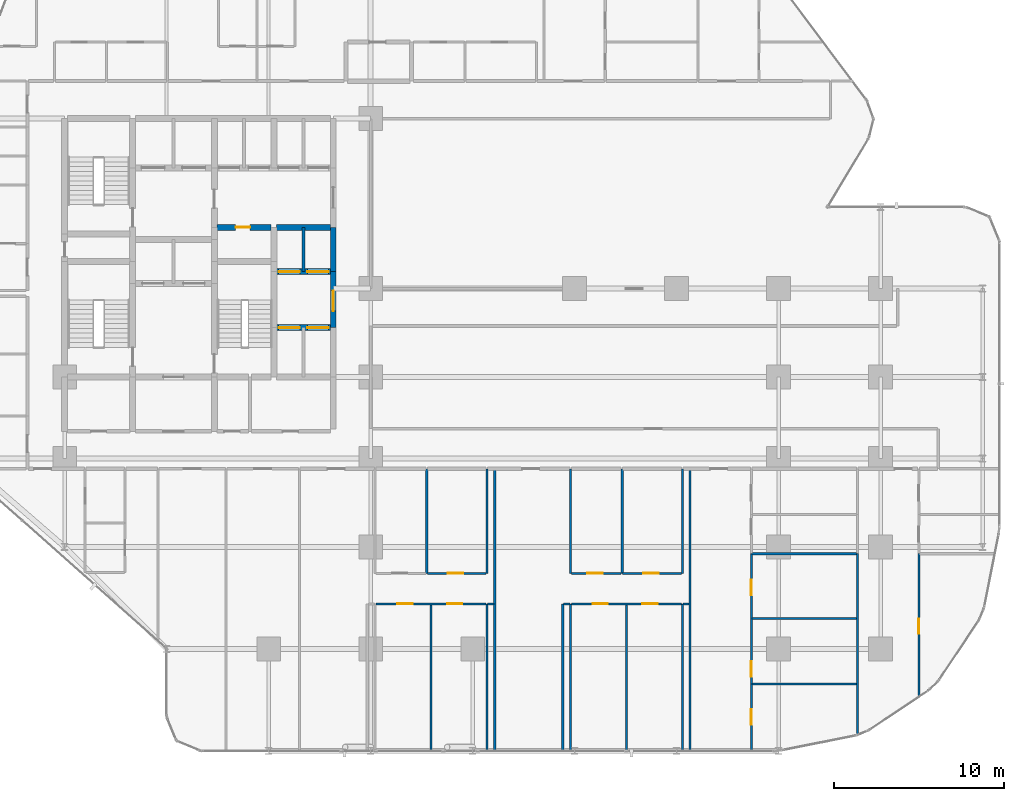
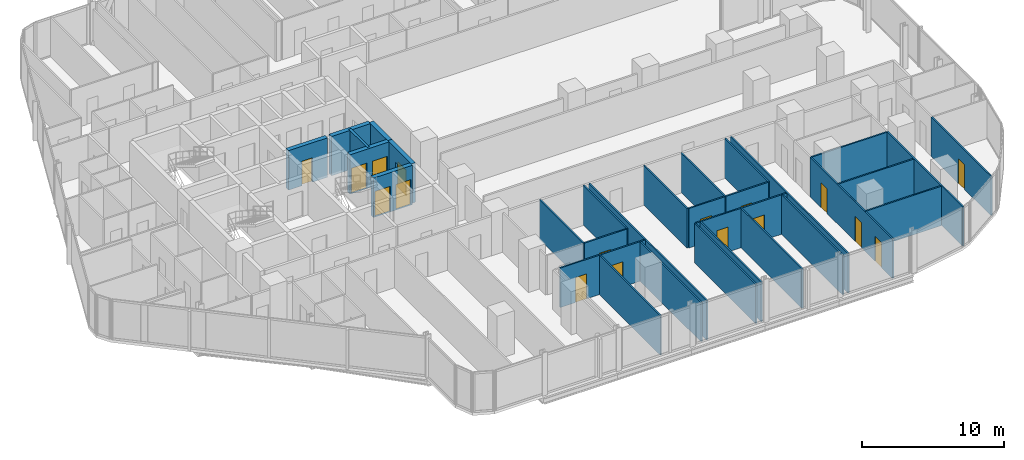
# One storey, part 28 of 34: 34 walls, 17 doors, 17 openings.
"""IFC4 building model written with IfcOpenShell, lengths in metres."""

from ifc_helpers import new_model, si_unit, direction, frame, frame_2d, origin, place, context, subcontext, project, spatial, rectangle, extrude, material, layer, layer_set, type_object, element, fill, save


model = new_model("IFC4")

# Units and contexts
model_context = context("Model", 3, precision=1e-05, world=origin(), true_north=direction((0.0, 1.0)))
body_context = subcontext(model_context, "Body", "Model", "MODEL_VIEW")
ifc_project = project(units=[si_unit("LENGTHUNIT", "METRE"), si_unit("AREAUNIT", "SQUARE_METRE"), si_unit("VOLUMEUNIT", "CUBIC_METRE"), si_unit("PLANEANGLEUNIT", "RADIAN"), si_unit("MASSUNIT", "GRAM", prefix="KILO")], contexts=[model_context])

# Site, building, storey
site_placement = place(None, origin())
site = spatial("IfcSite", under=ifc_project, at=site_placement, CompositionType="ELEMENT")
building_placement = place(site_placement, origin())
building = spatial("IfcBuilding", under=site, at=building_placement, Name="Keshet Zoharim Tower", CompositionType="ELEMENT")
storey_placement = place(building_placement, frame((0.0, 0.0, 46.199951171875)))
storey = spatial("IfcBuildingStorey", under=building, at=storey_placement, Name="L10", CompositionType="ELEMENT", Elevation=46.199951171875)

# Wall, opening, door
ifc_material_1 = material(Name="Concrete C60/75", Category="concrete")
ifc_layer_1 = layer(ifc_material_1, 0.35009765625)
ifc_layer_set_1 = layer_set([ifc_layer_1], Name="Concrete C60/75")
wall_type_1 = type_object("IfcWallType", Name="WL-CORE-350", PredefinedType="SHEAR", material=ifc_layer_set_1)
wall_1_placement = place(storey_placement, frame((30.800048828125, 25.60009765625, 0.0), z_axis=(0.0, 0.0, 1.0), x_axis=(0.0, 1.0, 0.0)))
wall_1 = element("IfcWall", 1, at=wall_1_placement, inside=storey, type_object=wall_type_1, Name="L10 Core Shear Wall 065", PredefinedType="SHEAR", context=body_context, shape_type="SweptSolid", body=[
    extrude(rectangle(XDim=3.2998046875, YDim=0.35009765625, at=frame_2d((1.64990234375, 0.0))), origin(), (0.0, 0.0, 1.0), 3.385009765625),
])
opening_1_placement = place(wall_1_placement, frame((0.97802734375, 0.0, 0.0)))
opening_1 = element("IfcOpeningElement", 2, at=opening_1_placement, cuts=wall_1, Name="Opening D-F612", PredefinedType="OPENING", context=body_context, shape_type="SweptSolid", body=[
    extrude(rectangle(XDim=1.199951171875, YDim=2.199951171875, at=frame_2d((0.60009765625, 1.10009765625))), frame((0.0, 0.18505859375, 0.0), z_axis=(0.0, -1.0, 0.0), x_axis=(1.0, 0.0, 0.0)), (0.0, 0.0, 1.0), 0.3701171875),
])
ifc_material_2 = material(Name="Hardwood Timber", Category="wood")
door_type_1 = type_object("IfcDoorType", Name="DR-FD60-120", OperationType="NOTDEFINED", PredefinedType="DOOR", material=ifc_material_2)
door_1_placement = place(opening_1_placement, origin())
door_1 = element("IfcDoor", 3, at=door_1_placement, inside=storey, type_object=door_type_1, Name="L10 East Lift Lobby Fire Door", OperationType="SINGLE_SWING_RIGHT", OverallHeight=2.199951171875, OverallWidth=1.199951171875, PredefinedType="DOOR", context=body_context, shape_type="SweptSolid", body=[
    extrude(rectangle(XDim=1.199951171875, YDim=2.199951171875, at=frame_2d((0.60009765625, 1.10009765625))), frame((0.0, 0.02490234375, 0.0), z_axis=(0.0, -1.0, 0.0), x_axis=(1.0, 0.0, 0.0)), (0.0, 0.0, 1.0), 0.050048828125),
])
fill(opening_1, door_1)

# Wall
wall_2_placement = place(storey_placement, frame((30.800048828125, 28.89990234375, 0.0), z_axis=(0.0, 0.0, 1.0), x_axis=(0.0, 1.0, 0.0)))
element("IfcWall", 4, at=wall_2_placement, inside=storey, type_object=wall_type_1, Name="L10 Core Shear Wall 066", PredefinedType="SHEAR", context=body_context, shape_type="SweptSolid", body=[
    extrude(rectangle(XDim=2.60009765625, YDim=0.35009765625, at=frame_2d((1.300048828125, 0.0))), origin(), (0.0, 0.0, 1.0), 3.385009765625),
])

# Wall, openings, doors
wall_3_placement = place(storey_placement, frame((27.4599609375, 25.60009765625, 0.0), z_axis=(0.0, 0.0, 1.0), x_axis=(1.0, 0.0, 0.0)))
wall_3 = element("IfcWall", 5, at=wall_3_placement, inside=storey, type_object=wall_type_1, Name="L10 Core Shear Wall 168", PredefinedType="SHEAR", context=body_context, shape_type="SweptSolid", body=[
    extrude(rectangle(XDim=3.179931640625, YDim=0.35009765625, at=frame_2d((1.58984375, 0.0))), origin(), (0.0, 0.0, 1.0), 3.385009765625),
])
opening_2_placement = place(wall_3_placement, frame((0.1201171875, 0.0, 0.0)))
opening_2 = element("IfcOpeningElement", 6, at=opening_2_placement, cuts=wall_3, Name="Opening LD-01", PredefinedType="OPENING", context=body_context, shape_type="SweptSolid", body=[
    extrude(rectangle(XDim=1.25, YDim=2.199951171875, at=frame_2d((0.625, 1.10009765625))), frame((0.0, 0.18505859375, 0.0), z_axis=(0.0, -1.0, 0.0), x_axis=(1.0, 0.0, 0.0)), (0.0, 0.0, 1.0), 0.3701171875),
])
opening_3_placement = place(wall_3_placement, frame((1.81005859375, 0.0, 0.0)))
opening_3 = element("IfcOpeningElement", 7, at=opening_3_placement, cuts=wall_3, Name="Opening LD-01", PredefinedType="OPENING", context=body_context, shape_type="SweptSolid", body=[
    extrude(rectangle(XDim=1.25, YDim=2.199951171875, at=frame_2d((0.625, 1.10009765625))), frame((0.0, 0.18505859375, 0.0), z_axis=(0.0, -1.0, 0.0), x_axis=(1.0, 0.0, 0.0)), (0.0, 0.0, 1.0), 0.3701171875),
])
ifc_material_3 = material(Name="Steel S355", Category="steel")
door_type_2 = type_object("IfcDoorType", Name="DR-LD01-125", OperationType="DOUBLE_DOOR_SLIDING", PredefinedType="DOOR", material=ifc_material_3)
door_2_placement = place(opening_2_placement, origin())
door_2 = element("IfcDoor", 8, at=door_2_placement, inside=storey, type_object=door_type_2, Name="L10 Passenger Lift Landing Door LF-07", OperationType="DOUBLE_DOOR_SLIDING", OverallHeight=2.199951171875, OverallWidth=1.25, PredefinedType="DOOR", context=body_context, shape_type="SweptSolid", body=[
    extrude(rectangle(XDim=1.25, YDim=2.199951171875, at=frame_2d((0.625, 1.10009765625))), frame((0.0, 0.02490234375, 0.0), z_axis=(0.0, -1.0, 0.0), x_axis=(1.0, 0.0, 0.0)), (0.0, 0.0, 1.0), 0.050048828125),
])
fill(opening_2, door_2)
door_3_placement = place(opening_3_placement, origin())
door_3 = element("IfcDoor", 9, at=door_3_placement, inside=storey, type_object=door_type_2, Name="L10 Passenger Lift Landing Door LF-08", OperationType="DOUBLE_DOOR_SLIDING", OverallHeight=2.199951171875, OverallWidth=1.25, PredefinedType="DOOR", context=body_context, shape_type="SweptSolid", body=[
    extrude(rectangle(XDim=1.25, YDim=2.199951171875, at=frame_2d((0.625, 1.10009765625))), frame((0.0, 0.02490234375, 0.0), z_axis=(0.0, -1.0, 0.0), x_axis=(1.0, 0.0, 0.0)), (0.0, 0.0, 1.0), 0.050048828125),
])
fill(opening_3, door_3)

wall_4_placement = place(storey_placement, frame((27.4599609375, 28.89990234375, 0.0), z_axis=(0.0, 0.0, 1.0), x_axis=(1.0, 0.0, 0.0)))
wall_4 = element("IfcWall", 10, at=wall_4_placement, inside=storey, type_object=wall_type_1, Name="L10 Core Shear Wall 176", PredefinedType="SHEAR", context=body_context, shape_type="SweptSolid", body=[
    extrude(rectangle(XDim=3.179931640625, YDim=0.35009765625, at=frame_2d((1.58984375, 0.0))), origin(), (0.0, 0.0, 1.0), 3.385009765625),
])
opening_4_placement = place(wall_4_placement, frame((0.1201171875, 0.0, 0.0)))
opening_4 = element("IfcOpeningElement", 11, at=opening_4_placement, cuts=wall_4, Name="Opening LD-01", PredefinedType="OPENING", context=body_context, shape_type="SweptSolid", body=[
    extrude(rectangle(XDim=1.25, YDim=2.199951171875, at=frame_2d((0.625, 1.10009765625))), frame((0.0, 0.18505859375, 0.0), z_axis=(0.0, -1.0, 0.0), x_axis=(1.0, 0.0, 0.0)), (0.0, 0.0, 1.0), 0.3701171875),
])
opening_5_placement = place(wall_4_placement, frame((1.81005859375, 0.0, 0.0)))
opening_5 = element("IfcOpeningElement", 12, at=opening_5_placement, cuts=wall_4, Name="Opening LD-01", PredefinedType="OPENING", context=body_context, shape_type="SweptSolid", body=[
    extrude(rectangle(XDim=1.25, YDim=2.199951171875, at=frame_2d((0.625, 1.10009765625))), frame((0.0, 0.18505859375, 0.0), z_axis=(0.0, -1.0, 0.0), x_axis=(1.0, 0.0, 0.0)), (0.0, 0.0, 1.0), 0.3701171875),
])
door_4_placement = place(opening_4_placement, origin())
door_4 = element("IfcDoor", 13, at=door_4_placement, inside=storey, type_object=door_type_2, Name="L10 Passenger Lift Landing Door LF-05", OperationType="DOUBLE_DOOR_SLIDING", OverallHeight=2.199951171875, OverallWidth=1.25, PredefinedType="DOOR", context=body_context, shape_type="SweptSolid", body=[
    extrude(rectangle(XDim=1.25, YDim=2.199951171875, at=frame_2d((0.625, 1.10009765625))), frame((0.0, 0.02490234375, 0.0), z_axis=(0.0, -1.0, 0.0), x_axis=(1.0, 0.0, 0.0)), (0.0, 0.0, 1.0), 0.050048828125),
])
fill(opening_4, door_4)
door_5_placement = place(opening_5_placement, origin())
door_5 = element("IfcDoor", 14, at=door_5_placement, inside=storey, type_object=door_type_2, Name="L10 Passenger Lift Landing Door LF-06", OperationType="DOUBLE_DOOR_SLIDING", OverallHeight=2.199951171875, OverallWidth=1.25, PredefinedType="DOOR", context=body_context, shape_type="SweptSolid", body=[
    extrude(rectangle(XDim=1.25, YDim=2.199951171875, at=frame_2d((0.625, 1.10009765625))), frame((0.0, 0.02490234375, 0.0), z_axis=(0.0, -1.0, 0.0), x_axis=(1.0, 0.0, 0.0)), (0.0, 0.0, 1.0), 0.050048828125),
])
fill(opening_5, door_5)

# Wall, opening, door
wall_5_placement = place(storey_placement, frame((23.9599609375, 31.5, 0.0), z_axis=(0.0, 0.0, 1.0), x_axis=(1.0, 0.0, 0.0)))
wall_5 = element("IfcWall", 15, at=wall_5_placement, inside=storey, type_object=wall_type_1, Name="L10 Core Shear Wall 183", PredefinedType="SHEAR", context=body_context, shape_type="SweptSolid", body=[
    extrude(rectangle(XDim=3.179931640625, YDim=0.35009765625, at=frame_2d((1.58984375, 0.0))), origin(), (0.0, 0.0, 1.0), 3.385009765625),
])
opening_6_placement = place(wall_5_placement, frame((1.093994140625, 0.0, 0.0)))
opening_6 = element("IfcOpeningElement", 16, at=opening_6_placement, cuts=wall_5, Name="Opening D-RS85", PredefinedType="OPENING", context=body_context, shape_type="SweptSolid", body=[
    extrude(rectangle(XDim=0.85009765625, YDim=2.10009765625, at=frame_2d((0.425048828125, 1.050048828125))), frame((0.0, 0.18505859375, 0.0), z_axis=(0.0, -1.0, 0.0), x_axis=(1.0, 0.0, 0.0)), (0.0, 0.0, 1.0), 0.3701171875),
])
door_type_3 = type_object("IfcDoorType", Name="DR-RIS-085", OperationType="NOTDEFINED", PredefinedType="DOOR", material=ifc_material_2)
door_6_placement = place(opening_6_placement, origin())
door_6 = element("IfcDoor", 17, at=door_6_placement, inside=storey, type_object=door_type_3, Name="L10 Telecom Riser Access Cupboard Door", OperationType="SINGLE_SWING_RIGHT", OverallHeight=2.10009765625, OverallWidth=0.85009765625, PredefinedType="DOOR", context=body_context, shape_type="SweptSolid", body=[
    extrude(rectangle(XDim=0.85009765625, YDim=2.10009765625, at=frame_2d((0.425048828125, 1.050048828125))), frame((0.0, 0.02490234375, 0.0), z_axis=(0.0, -1.0, 0.0), x_axis=(1.0, 0.0, 0.0)), (0.0, 0.0, 1.0), 0.050048828125),
])
fill(opening_6, door_6)

# Walls
wall_6_placement = place(storey_placement, frame((27.4599609375, 31.5, 0.0), z_axis=(0.0, 0.0, 1.0), x_axis=(1.0, 0.0, 0.0)))
element("IfcWall", 18, at=wall_6_placement, inside=storey, type_object=wall_type_1, Name="L10 Core Shear Wall 184", PredefinedType="SHEAR", context=body_context, shape_type="SweptSolid", body=[
    extrude(rectangle(XDim=3.179931640625, YDim=0.35009765625, at=frame_2d((1.58984375, 0.0))), origin(), (0.0, 0.0, 1.0), 3.385009765625),
])
ifc_material_4 = material(Name="Concrete C50/60", Category="concrete")
ifc_layer_2 = layer(ifc_material_4, 0.199951171875)
ifc_layer_set_2 = layer_set([ifc_layer_2], Name="Concrete C50/60")
wall_type_2 = type_object("IfcWallType", Name="WL-FIRE-200", PredefinedType="STANDARD", material=ifc_layer_set_2)
wall_7_placement = place(storey_placement, frame((29.050048828125, 28.89990234375, 0.0), z_axis=(0.0, 0.0, 1.0), x_axis=(0.0, 1.0, 0.0)))
element("IfcWall", 19, at=wall_7_placement, inside=storey, type_object=wall_type_2, Name="L10 Interior Wall 061", PredefinedType="STANDARD", context=body_context, shape_type="SweptSolid", body=[
    extrude(rectangle(XDim=2.60009765625, YDim=0.199951171875, at=frame_2d((1.300048828125, 0.0))), origin(), (0.0, 0.0, 1.0), 3.385009765625),
])
ifc_material_5 = material(Name="Gypsum Plasterboard", Category="gypsum")
ifc_layer_3 = layer(ifc_material_5, 0.1201171875)
ifc_layer_set_3 = layer_set([ifc_layer_3], Name="Gypsum Plasterboard")
wall_type_3 = type_object("IfcWallType", Name="WL-PART-120", PredefinedType="PARTITIONING", material=ifc_layer_set_3)
for number, where, z_axis, x_axis, name in (
    (20, (36.550048828125, 0.7099609375, 0.0), (0.0, 0.0, 1.0), (0.0, 1.0, 0.0), "L10 Interior Wall 080"),
    (21, (39.85009765625, 0.7099609375, 0.0), (0.0, 0.0, 1.0), (0.0, 1.0, 0.0), "L10 Interior Wall 083"),
):
    element("IfcWall", number, at=place(storey_placement, frame(where, z_axis=z_axis, x_axis=x_axis)), inside=storey, type_object=wall_type_3, Name=name, PredefinedType="PARTITIONING", context=body_context, shape_type="SweptSolid", body=[
        extrude(rectangle(XDim=8.64013671875, YDim=0.1201171875, at=frame_2d((4.320068359375, 0.0))), origin(), (0.0, 0.0, 1.0), 3.385009765625),
    ])
wall_8_placement = place(storey_placement, frame((40.300048828125, 0.7099609375, 0.0), z_axis=(0.0, 0.0, 1.0), x_axis=(0.0, 1.0, 0.0)))
element("IfcWall", 22, at=wall_8_placement, inside=storey, type_object=wall_type_3, Name="L10 Interior Wall 086", PredefinedType="PARTITIONING", context=body_context, shape_type="SweptSolid", body=[
    extrude(rectangle(XDim=16.590087890625, YDim=0.1201171875, at=frame_2d((8.294921875, 0.0))), origin(), (0.0, 0.0, 1.0), 3.385009765625),
])
for number, where, z_axis, x_axis, name in (
    (23, (44.300048828125, 0.7099609375, 0.0), (0.0, 0.0, 1.0), (0.0, 1.0, 0.0), "L10 Interior Wall 090"),
    (24, (44.75, 0.7099609375, 0.0), (0.0, 0.0, 1.0), (0.0, 1.0, 0.0), "L10 Interior Wall 091"),
):
    element("IfcWall", number, at=place(storey_placement, frame(where, z_axis=z_axis, x_axis=x_axis)), inside=storey, type_object=wall_type_3, Name=name, PredefinedType="PARTITIONING", context=body_context, shape_type="SweptSolid", body=[
        extrude(rectangle(XDim=8.64013671875, YDim=0.1201171875, at=frame_2d((4.320068359375, 0.0))), origin(), (0.0, 0.0, 1.0), 3.385009765625),
    ])
wall_9_placement = place(storey_placement, frame((44.75, 11.14990234375, 0.0), z_axis=(0.0, 0.0, 1.0), x_axis=(0.0, 1.0, 0.0)))
element("IfcWall", 25, at=wall_9_placement, inside=storey, type_object=wall_type_3, Name="L10 Interior Wall 092", PredefinedType="PARTITIONING", context=body_context, shape_type="SweptSolid", body=[
    extrude(rectangle(XDim=6.150146484375, YDim=0.1201171875, at=frame_2d((3.0751953125, 0.0))), origin(), (0.0, 0.0, 1.0), 3.385009765625),
])
for number, where, z_axis, x_axis, name in (
    (26, (48.050048828125, 0.7099609375, 0.0), (0.0, 0.0, 1.0), (0.0, 1.0, 0.0), "L10 Interior Wall 097"),
    (27, (51.35009765625, 0.7099609375, 0.0), (0.0, 0.0, 1.0), (0.0, 1.0, 0.0), "L10 Interior Wall 098"),
):
    element("IfcWall", number, at=place(storey_placement, frame(where, z_axis=z_axis, x_axis=x_axis)), inside=storey, type_object=wall_type_3, Name=name, PredefinedType="PARTITIONING", context=body_context, shape_type="SweptSolid", body=[
        extrude(rectangle(XDim=8.64013671875, YDim=0.1201171875, at=frame_2d((4.320068359375, 0.0))), origin(), (0.0, 0.0, 1.0), 3.385009765625),
    ])
wall_10_placement = place(storey_placement, frame((51.800048828125, 0.7099609375, 0.0), z_axis=(0.0, 0.0, 1.0), x_axis=(0.0, 1.0, 0.0)))
element("IfcWall", 28, at=wall_10_placement, inside=storey, type_object=wall_type_3, Name="L10 Interior Wall 100", PredefinedType="PARTITIONING", context=body_context, shape_type="SweptSolid", body=[
    extrude(rectangle(XDim=16.590087890625, YDim=0.1201171875, at=frame_2d((8.294921875, 0.0))), origin(), (0.0, 0.0, 1.0), 3.385009765625),
])

# Wall, openings, doors
wall_11_placement = place(storey_placement, frame((55.39990234375, 0.7099609375, 0.0), z_axis=(0.0, 0.0, 1.0), x_axis=(0.0, 1.0, 0.0)))
wall_11 = element("IfcWall", 29, at=wall_11_placement, inside=storey, type_object=wall_type_3, Name="L10 Interior Wall 104", PredefinedType="PARTITIONING", context=body_context, shape_type="SweptSolid", body=[
    extrude(rectangle(XDim=11.590087890625, YDim=0.1201171875, at=frame_2d((5.794921875, 0.0))), origin(), (0.0, 0.0, 1.0), 3.385009765625),
])
opening_7_placement = place(wall_11_placement, frame((1.534912109375, 0.0, 0.0)))
opening_7 = element("IfcOpeningElement", 30, at=opening_7_placement, cuts=wall_11, Name="Opening D-IN90", PredefinedType="OPENING", context=body_context, shape_type="SweptSolid", body=[
    extrude(rectangle(XDim=0.89990234375, YDim=2.14990234375, at=frame_2d((0.449951171875, 1.074951171875))), frame((0.0, 0.070068359375, 0.0), z_axis=(0.0, -1.0, 0.0), x_axis=(1.0, 0.0, 0.0)), (0.0, 0.0, 1.0), 0.14013671875),
])
opening_8_placement = place(wall_11_placement, frame((4.35107421875, 0.0, 0.0)))
opening_8 = element("IfcOpeningElement", 31, at=opening_8_placement, cuts=wall_11, Name="Opening D-IN90", PredefinedType="OPENING", context=body_context, shape_type="SweptSolid", body=[
    extrude(rectangle(XDim=0.89990234375, YDim=2.14990234375, at=frame_2d((0.449951171875, 1.074951171875))), frame((0.0, 0.070068359375, 0.0), z_axis=(0.0, -1.0, 0.0), x_axis=(1.0, 0.0, 0.0)), (0.0, 0.0, 1.0), 0.14013671875),
])
opening_9_placement = place(wall_11_placement, frame((9.158935546875, 0.0, 0.0)))
opening_9 = element("IfcOpeningElement", 32, at=opening_9_placement, cuts=wall_11, Name="Opening D-IN90", PredefinedType="OPENING", context=body_context, shape_type="SweptSolid", body=[
    extrude(rectangle(XDim=0.89990234375, YDim=2.14990234375, at=frame_2d((0.449951171875, 1.074951171875))), frame((0.0, 0.070068359375, 0.0), z_axis=(0.0, -1.0, 0.0), x_axis=(1.0, 0.0, 0.0)), (0.0, 0.0, 1.0), 0.14013671875),
])
door_type_4 = type_object("IfcDoorType", Name="DR-INT-090", OperationType="NOTDEFINED", PredefinedType="DOOR", material=ifc_material_2)
door_7_placement = place(opening_7_placement, origin())
door_7 = element("IfcDoor", 33, at=door_7_placement, inside=storey, type_object=door_type_4, Name="Apartment 1004 Bedroom 1 Door", OperationType="SINGLE_SWING_RIGHT", OverallHeight=2.14990234375, OverallWidth=0.89990234375, PredefinedType="DOOR", context=body_context, shape_type="SweptSolid", body=[
    extrude(rectangle(XDim=0.89990234375, YDim=2.14990234375, at=frame_2d((0.449951171875, 1.074951171875))), frame((0.0, 0.02490234375, 0.0), z_axis=(0.0, -1.0, 0.0), x_axis=(1.0, 0.0, 0.0)), (0.0, 0.0, 1.0), 0.050048828125),
])
fill(opening_7, door_7)
door_8_placement = place(opening_8_placement, origin())
door_8 = element("IfcDoor", 34, at=door_8_placement, inside=storey, type_object=door_type_4, Name="Apartment 1004 Bedroom 2 Door", OperationType="SINGLE_SWING_LEFT", OverallHeight=2.14990234375, OverallWidth=0.89990234375, PredefinedType="DOOR", context=body_context, shape_type="SweptSolid", body=[
    extrude(rectangle(XDim=0.89990234375, YDim=2.14990234375, at=frame_2d((0.449951171875, 1.074951171875))), frame((0.0, 0.02490234375, 0.0), z_axis=(0.0, -1.0, 0.0), x_axis=(1.0, 0.0, 0.0)), (0.0, 0.0, 1.0), 0.050048828125),
])
fill(opening_8, door_8)
door_9_placement = place(opening_9_placement, origin())
door_9 = element("IfcDoor", 35, at=door_9_placement, inside=storey, type_object=door_type_4, Name="Apartment 1004 Bedroom 3 Door", OperationType="SINGLE_SWING_RIGHT", OverallHeight=2.14990234375, OverallWidth=0.89990234375, PredefinedType="DOOR", context=body_context, shape_type="SweptSolid", body=[
    extrude(rectangle(XDim=0.89990234375, YDim=2.14990234375, at=frame_2d((0.449951171875, 1.074951171875))), frame((0.0, 0.02490234375, 0.0), z_axis=(0.0, -1.0, 0.0), x_axis=(1.0, 0.0, 0.0)), (0.0, 0.0, 1.0), 0.050048828125),
])
fill(opening_9, door_9)

# Wall
wall_12_placement = place(storey_placement, frame((61.64990234375, 1.64892578125, 0.0), z_axis=(0.0, 0.0, 1.0), x_axis=(0.0, 1.0, 0.0)))
element("IfcWall", 36, at=wall_12_placement, inside=storey, type_object=wall_type_3, Name="L10 Interior Wall 110", PredefinedType="PARTITIONING", context=body_context, shape_type="SweptSolid", body=[
    extrude(rectangle(XDim=10.651123046875, YDim=0.1201171875, at=frame_2d((5.32568359375, 0.0))), origin(), (0.0, 0.0, 1.0), 3.385009765625),
])

# Wall, opening, door
wall_13_placement = place(storey_placement, frame((65.25, 3.887939453125, 0.0), z_axis=(0.0, 0.0, 1.0), x_axis=(0.0, 1.0, 0.0)))
wall_13 = element("IfcWall", 37, at=wall_13_placement, inside=storey, type_object=wall_type_3, Name="L10 Interior Wall 114", PredefinedType="PARTITIONING", context=body_context, shape_type="SweptSolid", body=[
    extrude(rectangle(XDim=8.412109375, YDim=0.1201171875, at=frame_2d((4.2060546875, 0.0))), origin(), (0.0, 0.0, 1.0), 3.385009765625),
])
opening_10_placement = place(wall_13_placement, frame((3.694091796875, 0.0, 0.0)))
opening_10 = element("IfcOpeningElement", 38, at=opening_10_placement, cuts=wall_13, Name="Opening D-IN90", PredefinedType="OPENING", context=body_context, shape_type="SweptSolid", body=[
    extrude(rectangle(XDim=0.89990234375, YDim=2.14990234375, at=frame_2d((0.449951171875, 1.074951171875))), frame((0.0, 0.070068359375, 0.0), z_axis=(0.0, -1.0, 0.0), x_axis=(1.0, 0.0, 0.0)), (0.0, 0.0, 1.0), 0.14013671875),
])
door_10_placement = place(opening_10_placement, origin())
door_10 = element("IfcDoor", 39, at=door_10_placement, inside=storey, type_object=door_type_4, Name="Apartment 1005 Bedroom 1 Door", OperationType="SINGLE_SWING_LEFT", OverallHeight=2.14990234375, OverallWidth=0.89990234375, PredefinedType="DOOR", context=body_context, shape_type="SweptSolid", body=[
    extrude(rectangle(XDim=0.89990234375, YDim=2.14990234375, at=frame_2d((0.449951171875, 1.074951171875))), frame((0.0, 0.02490234375, 0.0), z_axis=(0.0, -1.0, 0.0), x_axis=(1.0, 0.0, 0.0)), (0.0, 0.0, 1.0), 0.050048828125),
])
fill(opening_10, door_10)

# Walls
for number, where, z_axis, x_axis, name in (
    (40, (55.425048828125, 4.64990234375, 0.0), (0.0, 0.0, 1.0), (1.0, 0.0, 0.0), "L10 Interior Wall 118"),
    (41, (55.425048828125, 8.5, 0.0), (0.0, 0.0, 1.0), (1.0, 0.0, 0.0), "L10 Interior Wall 119"),
):
    element("IfcWall", number, at=place(storey_placement, frame(where, z_axis=z_axis, x_axis=x_axis)), inside=storey, type_object=wall_type_3, Name=name, PredefinedType="PARTITIONING", context=body_context, shape_type="SweptSolid", body=[
        extrude(rectangle(XDim=6.159912109375, YDim=0.1201171875, at=frame_2d((3.080078125, 0.0))), origin(), (0.0, 0.0, 1.0), 3.385009765625),
    ])

# Wall, openings, doors
wall_14_placement = place(storey_placement, frame((33.31494140625, 9.35009765625, 0.0), z_axis=(0.0, 0.0, 1.0), x_axis=(1.0, 0.0, 0.0)))
wall_14 = element("IfcWall", 42, at=wall_14_placement, inside=storey, type_object=wall_type_3, Name="L10 Interior Wall 121", PredefinedType="PARTITIONING", context=body_context, shape_type="SweptSolid", body=[
    extrude(rectangle(XDim=6.47998046875, YDim=0.1201171875, at=frame_2d((3.239990234375, 0.0))), origin(), (0.0, 0.0, 1.0), 3.385009765625),
])
opening_11_placement = place(wall_14_placement, frame((1.251953125, 0.0, 0.0)))
opening_11 = element("IfcOpeningElement", 43, at=opening_11_placement, cuts=wall_14, Name="Opening D-IN90", PredefinedType="OPENING", context=body_context, shape_type="SweptSolid", body=[
    extrude(rectangle(XDim=0.89990234375, YDim=2.14990234375, at=frame_2d((0.449951171875, 1.074951171875))), frame((0.0, 0.070068359375, 0.0), z_axis=(0.0, -1.0, 0.0), x_axis=(1.0, 0.0, 0.0)), (0.0, 0.0, 1.0), 0.14013671875),
])
opening_12_placement = place(wall_14_placement, frame((4.18701171875, 0.0, 0.0)))
opening_12 = element("IfcOpeningElement", 44, at=opening_12_placement, cuts=wall_14, Name="Opening D-IN90", PredefinedType="OPENING", context=body_context, shape_type="SweptSolid", body=[
    extrude(rectangle(XDim=0.89990234375, YDim=2.14990234375, at=frame_2d((0.449951171875, 1.074951171875))), frame((0.0, 0.070068359375, 0.0), z_axis=(0.0, -1.0, 0.0), x_axis=(1.0, 0.0, 0.0)), (0.0, 0.0, 1.0), 0.14013671875),
])
door_11_placement = place(opening_11_placement, origin())
door_11 = element("IfcDoor", 45, at=door_11_placement, inside=storey, type_object=door_type_4, Name="Apartment 1002 Bedroom 1 Door", OperationType="SINGLE_SWING_RIGHT", OverallHeight=2.14990234375, OverallWidth=0.89990234375, PredefinedType="DOOR", context=body_context, shape_type="SweptSolid", body=[
    extrude(rectangle(XDim=0.89990234375, YDim=2.14990234375, at=frame_2d((0.449951171875, 1.074951171875))), frame((0.0, 0.02490234375, 0.0), z_axis=(0.0, -1.0, 0.0), x_axis=(1.0, 0.0, 0.0)), (0.0, 0.0, 1.0), 0.050048828125),
])
fill(opening_11, door_11)
door_12_placement = place(opening_12_placement, origin())
door_12 = element("IfcDoor", 46, at=door_12_placement, inside=storey, type_object=door_type_4, Name="Apartment 1002 Bedroom 2 Door", OperationType="SINGLE_SWING_LEFT", OverallHeight=2.14990234375, OverallWidth=0.89990234375, PredefinedType="DOOR", context=body_context, shape_type="SweptSolid", body=[
    extrude(rectangle(XDim=0.89990234375, YDim=2.14990234375, at=frame_2d((0.449951171875, 1.074951171875))), frame((0.0, 0.02490234375, 0.0), z_axis=(0.0, -1.0, 0.0), x_axis=(1.0, 0.0, 0.0)), (0.0, 0.0, 1.0), 0.050048828125),
])
fill(opening_12, door_12)

# Walls
for number, where, z_axis, x_axis, name in (
    (47, (39.885009765625, 9.35009765625, 0.0), (0.0, 0.0, 1.0), (1.0, 0.0, 0.0), "L10 Interior Wall 122"),
    (48, (44.35498046875, 9.35009765625, 0.0), (0.0, 0.0, 1.0), (1.0, 0.0, 0.0), "L10 Interior Wall 123"),
):
    element("IfcWall", number, at=place(storey_placement, frame(where, z_axis=z_axis, x_axis=x_axis)), inside=storey, type_object=wall_type_3, Name=name, PredefinedType="PARTITIONING", context=body_context, shape_type="SweptSolid", body=[
        extrude(rectangle(XDim=0.360107421875, YDim=0.1201171875, at=frame_2d((0.18017578125, 0.0))), origin(), (0.0, 0.0, 1.0), 3.385009765625),
    ])

# Wall, openings, doors
wall_15_placement = place(storey_placement, frame((44.804931640625, 9.35009765625, 0.0), z_axis=(0.0, 0.0, 1.0), x_axis=(1.0, 0.0, 0.0)))
wall_15 = element("IfcWall", 49, at=wall_15_placement, inside=storey, type_object=wall_type_3, Name="L10 Interior Wall 124", PredefinedType="PARTITIONING", context=body_context, shape_type="SweptSolid", body=[
    extrude(rectangle(XDim=6.47998046875, YDim=0.1201171875, at=frame_2d((3.239990234375, 0.0))), origin(), (0.0, 0.0, 1.0), 3.385009765625),
])
opening_13_placement = place(wall_15_placement, frame((1.251953125, 0.0, 0.0)))
opening_13 = element("IfcOpeningElement", 50, at=opening_13_placement, cuts=wall_15, Name="Opening D-IN90", PredefinedType="OPENING", context=body_context, shape_type="SweptSolid", body=[
    extrude(rectangle(XDim=0.89990234375, YDim=2.14990234375, at=frame_2d((0.449951171875, 1.074951171875))), frame((0.0, 0.070068359375, 0.0), z_axis=(0.0, -1.0, 0.0), x_axis=(1.0, 0.0, 0.0)), (0.0, 0.0, 1.0), 0.14013671875),
])
opening_14_placement = place(wall_15_placement, frame((4.18701171875, 0.0, 0.0)))
opening_14 = element("IfcOpeningElement", 51, at=opening_14_placement, cuts=wall_15, Name="Opening D-IN90", PredefinedType="OPENING", context=body_context, shape_type="SweptSolid", body=[
    extrude(rectangle(XDim=0.89990234375, YDim=2.14990234375, at=frame_2d((0.449951171875, 1.074951171875))), frame((0.0, 0.070068359375, 0.0), z_axis=(0.0, -1.0, 0.0), x_axis=(1.0, 0.0, 0.0)), (0.0, 0.0, 1.0), 0.14013671875),
])
door_13_placement = place(opening_13_placement, origin())
door_13 = element("IfcDoor", 52, at=door_13_placement, inside=storey, type_object=door_type_4, Name="Apartment 1003 Bedroom 1 Door", OperationType="SINGLE_SWING_RIGHT", OverallHeight=2.14990234375, OverallWidth=0.89990234375, PredefinedType="DOOR", context=body_context, shape_type="SweptSolid", body=[
    extrude(rectangle(XDim=0.89990234375, YDim=2.14990234375, at=frame_2d((0.449951171875, 1.074951171875))), frame((0.0, 0.02490234375, 0.0), z_axis=(0.0, -1.0, 0.0), x_axis=(1.0, 0.0, 0.0)), (0.0, 0.0, 1.0), 0.050048828125),
])
fill(opening_13, door_13)
door_14_placement = place(opening_14_placement, origin())
door_14 = element("IfcDoor", 53, at=door_14_placement, inside=storey, type_object=door_type_4, Name="Apartment 1003 Bedroom 2 Door", OperationType="SINGLE_SWING_LEFT", OverallHeight=2.14990234375, OverallWidth=0.89990234375, PredefinedType="DOOR", context=body_context, shape_type="SweptSolid", body=[
    extrude(rectangle(XDim=0.89990234375, YDim=2.14990234375, at=frame_2d((0.449951171875, 1.074951171875))), frame((0.0, 0.02490234375, 0.0), z_axis=(0.0, -1.0, 0.0), x_axis=(1.0, 0.0, 0.0)), (0.0, 0.0, 1.0), 0.050048828125),
])
fill(opening_14, door_14)

# Wall
wall_16_placement = place(storey_placement, frame((51.375, 9.35009765625, 0.0), z_axis=(0.0, 0.0, 1.0), x_axis=(1.0, 0.0, 0.0)))
element("IfcWall", 54, at=wall_16_placement, inside=storey, type_object=wall_type_3, Name="L10 Interior Wall 125", PredefinedType="PARTITIONING", context=body_context, shape_type="SweptSolid", body=[
    extrude(rectangle(XDim=0.360107421875, YDim=0.1201171875, at=frame_2d((0.18017578125, 0.0))), origin(), (0.0, 0.0, 1.0), 3.385009765625),
])

# Wall, opening, door
wall_17_placement = place(storey_placement, frame((44.804931640625, 11.14990234375, 0.0), z_axis=(0.0, 0.0, 1.0), x_axis=(1.0, 0.0, 0.0)))
wall_17 = element("IfcWall", 55, at=wall_17_placement, inside=storey, type_object=wall_type_3, Name="L10 Interior Wall 128", PredefinedType="PARTITIONING", context=body_context, shape_type="SweptSolid", body=[
    extrude(rectangle(XDim=2.93212890625, YDim=0.1201171875, at=frame_2d((1.466064453125, 0.0))), origin(), (0.0, 0.0, 1.0), 3.385009765625),
])
opening_15_placement = place(wall_17_placement, frame((0.943115234375, 0.0, 0.0)))
opening_15 = element("IfcOpeningElement", 56, at=opening_15_placement, cuts=wall_17, Name="Opening D-IN90", PredefinedType="OPENING", context=body_context, shape_type="SweptSolid", body=[
    extrude(rectangle(XDim=0.89990234375, YDim=2.14990234375, at=frame_2d((0.449951171875, 1.074951171875))), frame((0.0, 0.070068359375, 0.0), z_axis=(0.0, -1.0, 0.0), x_axis=(1.0, 0.0, 0.0)), (0.0, 0.0, 1.0), 0.14013671875),
])
door_15_placement = place(opening_15_placement, origin())
door_15 = element("IfcDoor", 57, at=door_15_placement, inside=storey, type_object=door_type_4, Name="Apartment 1003 Kitchen Door", OperationType="SINGLE_SWING_RIGHT", OverallHeight=2.14990234375, OverallWidth=0.89990234375, PredefinedType="DOOR", context=body_context, shape_type="SweptSolid", body=[
    extrude(rectangle(XDim=0.89990234375, YDim=2.14990234375, at=frame_2d((0.449951171875, 1.074951171875))), frame((0.0, 0.02490234375, 0.0), z_axis=(0.0, -1.0, 0.0), x_axis=(1.0, 0.0, 0.0)), (0.0, 0.0, 1.0), 0.050048828125),
])
fill(opening_15, door_15)

# Walls
wall_18_placement = place(storey_placement, frame((55.425048828125, 12.300048828125, 0.0), z_axis=(0.0, 0.0, 1.0), x_axis=(1.0, 0.0, 0.0)))
element("IfcWall", 58, at=wall_18_placement, inside=storey, type_object=wall_type_3, Name="L10 Interior Wall 131", PredefinedType="PARTITIONING", context=body_context, shape_type="SweptSolid", body=[
    extrude(rectangle(XDim=6.159912109375, YDim=0.1201171875, at=frame_2d((3.080078125, 0.0))), origin(), (0.0, 0.0, 1.0), 3.385009765625),
])
ifc_layer_4 = layer(ifc_material_5, 0.1201171875)
ifc_layer_set_4 = layer_set([ifc_layer_4], Name="Gypsum Plasterboard")
wall_type_4 = type_object("IfcWallType", Name="WL-WET-120", PredefinedType="PARTITIONING", material=ifc_layer_set_4)
for number, where, z_axis, x_axis, name in (
    (59, (36.300048828125, 11.14990234375, 0.0), (0.0, 0.0, 1.0), (0.0, 1.0, 0.0), "L10 Interior Wall 079"),
    (60, (39.85009765625, 11.14990234375, 0.0), (0.0, 0.0, 1.0), (0.0, 1.0, 0.0), "L10 Interior Wall 084"),
    (61, (47.800048828125, 11.14990234375, 0.0), (0.0, 0.0, 1.0), (0.0, 1.0, 0.0), "L10 Interior Wall 096"),
    (62, (51.35009765625, 11.14990234375, 0.0), (0.0, 0.0, 1.0), (0.0, 1.0, 0.0), "L10 Interior Wall 099"),
):
    element("IfcWall", number, at=place(storey_placement, frame(where, z_axis=z_axis, x_axis=x_axis)), inside=storey, type_object=wall_type_4, Name=name, PredefinedType="PARTITIONING", context=body_context, shape_type="SweptSolid", body=[
        extrude(rectangle(XDim=6.150146484375, YDim=0.1201171875, at=frame_2d((3.0751953125, 0.0))), origin(), (0.0, 0.0, 1.0), 3.385009765625),
    ])

# Wall, opening, door
wall_19_placement = place(storey_placement, frame((36.3369140625, 11.14990234375, 0.0), z_axis=(0.0, 0.0, 1.0), x_axis=(1.0, 0.0, 0.0)))
wall_19 = element("IfcWall", 63, at=wall_19_placement, inside=storey, type_object=wall_type_4, Name="L10 Interior Wall 127", PredefinedType="PARTITIONING", context=body_context, shape_type="SweptSolid", body=[
    extrude(rectangle(XDim=3.4580078125, YDim=0.1201171875, at=frame_2d((1.72900390625, 0.0))), origin(), (0.0, 0.0, 1.0), 3.385009765625),
])
opening_16_placement = place(wall_19_placement, frame((1.2080078125, 0.0, 0.0)))
opening_16 = element("IfcOpeningElement", 64, at=opening_16_placement, cuts=wall_19, Name="Opening D-WT90", PredefinedType="OPENING", context=body_context, shape_type="SweptSolid", body=[
    extrude(rectangle(XDim=0.89990234375, YDim=2.10009765625, at=frame_2d((0.449951171875, 1.050048828125))), frame((0.0, 0.070068359375, 0.0), z_axis=(0.0, -1.0, 0.0), x_axis=(1.0, 0.0, 0.0)), (0.0, 0.0, 1.0), 0.14013671875),
])
door_type_5 = type_object("IfcDoorType", Name="DR-WET-090", OperationType="NOTDEFINED", PredefinedType="DOOR", material=ifc_material_2)
door_16_placement = place(opening_16_placement, origin())
door_16 = element("IfcDoor", 65, at=door_16_placement, inside=storey, type_object=door_type_5, Name="Apartment 1002 Bathroom Door", OperationType="SINGLE_SWING_LEFT", OverallHeight=2.10009765625, OverallWidth=0.89990234375, PredefinedType="DOOR", context=body_context, shape_type="SweptSolid", body=[
    extrude(rectangle(XDim=0.89990234375, YDim=2.10009765625, at=frame_2d((0.449951171875, 1.050048828125))), frame((0.0, 0.02490234375, 0.0), z_axis=(0.0, -1.0, 0.0), x_axis=(1.0, 0.0, 0.0)), (0.0, 0.0, 1.0), 0.050048828125),
])
fill(opening_16, door_16)

wall_20_placement = place(storey_placement, frame((47.826904296875, 11.14990234375, 0.0), z_axis=(0.0, 0.0, 1.0), x_axis=(1.0, 0.0, 0.0)))
wall_20 = element("IfcWall", 66, at=wall_20_placement, inside=storey, type_object=wall_type_4, Name="L10 Interior Wall 129", PredefinedType="PARTITIONING", context=body_context, shape_type="SweptSolid", body=[
    extrude(rectangle(XDim=3.4580078125, YDim=0.1201171875, at=frame_2d((1.72900390625, 0.0))), origin(), (0.0, 0.0, 1.0), 3.385009765625),
])
opening_17_placement = place(wall_20_placement, frame((1.2080078125, 0.0, 0.0)))
opening_17 = element("IfcOpeningElement", 67, at=opening_17_placement, cuts=wall_20, Name="Opening D-WT90", PredefinedType="OPENING", context=body_context, shape_type="SweptSolid", body=[
    extrude(rectangle(XDim=0.89990234375, YDim=2.10009765625, at=frame_2d((0.449951171875, 1.050048828125))), frame((0.0, 0.070068359375, 0.0), z_axis=(0.0, -1.0, 0.0), x_axis=(1.0, 0.0, 0.0)), (0.0, 0.0, 1.0), 0.14013671875),
])
door_17_placement = place(opening_17_placement, origin())
door_17 = element("IfcDoor", 68, at=door_17_placement, inside=storey, type_object=door_type_5, Name="Apartment 1003 Bathroom Door", OperationType="SINGLE_SWING_LEFT", OverallHeight=2.10009765625, OverallWidth=0.89990234375, PredefinedType="DOOR", context=body_context, shape_type="SweptSolid", body=[
    extrude(rectangle(XDim=0.89990234375, YDim=2.10009765625, at=frame_2d((0.449951171875, 1.050048828125))), frame((0.0, 0.02490234375, 0.0), z_axis=(0.0, -1.0, 0.0), x_axis=(1.0, 0.0, 0.0)), (0.0, 0.0, 1.0), 0.050048828125),
])
fill(opening_17, door_17)

save(model, "model.ifc")
